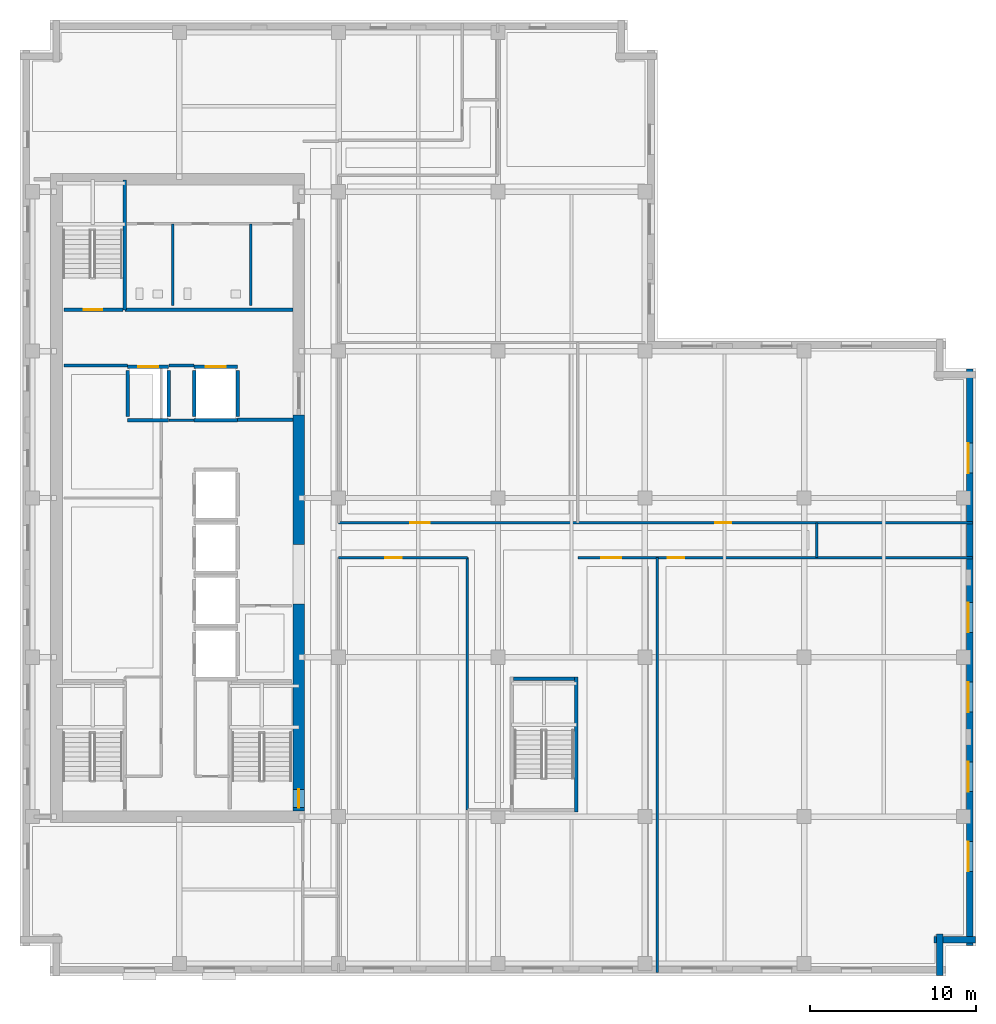
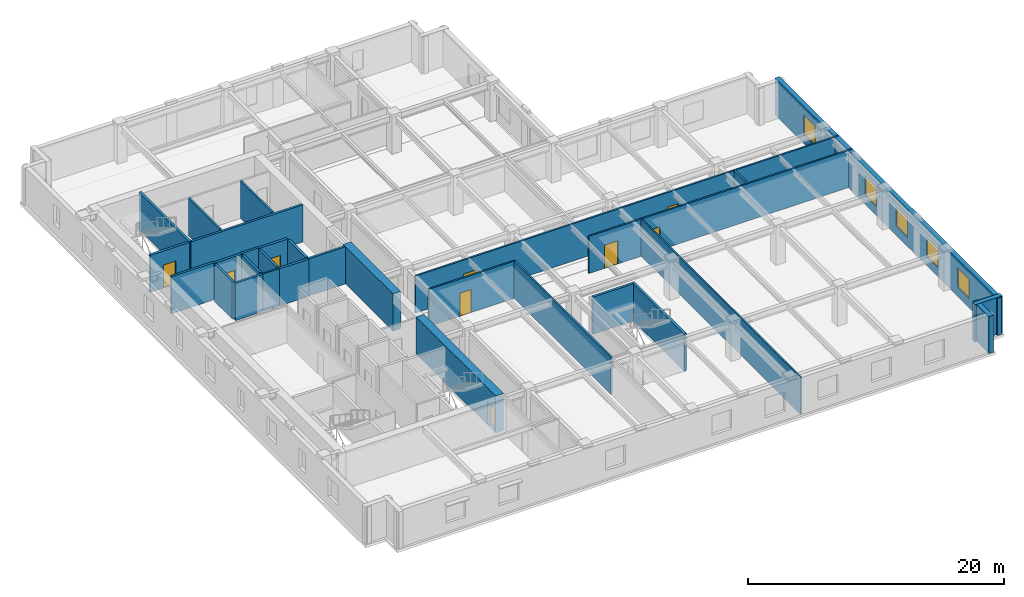
# One storey, part 5 of 14: 30 walls, 9 doors, 5 windows, 14 openings.
"""IFC4 building model written with IfcOpenShell, lengths in metres."""

from ifc_helpers import new_model, si_unit, direction, frame, frame_2d, origin, place, context, subcontext, project, spatial, rectangle, extrude, material, layer, layer_set, type_object, element, fill, save


model = new_model("IFC4")

# Units and contexts
model_context = context("Model", 3, precision=1e-05, world=origin(), true_north=direction((0.0, 1.0)))
body_context = subcontext(model_context, "Body", "Model", "MODEL_VIEW")
ifc_project = project(units=[si_unit("LENGTHUNIT", "METRE"), si_unit("AREAUNIT", "SQUARE_METRE"), si_unit("VOLUMEUNIT", "CUBIC_METRE"), si_unit("PLANEANGLEUNIT", "RADIAN"), si_unit("MASSUNIT", "GRAM", prefix="KILO")], contexts=[model_context])

# Site, building, storey
site_placement = place(None, origin())
site = spatial("IfcSite", under=ifc_project, at=site_placement, CompositionType="ELEMENT")
building_placement = place(site_placement, origin())
building = spatial("IfcBuilding", under=site, at=building_placement, Name="Norrvale University Quadrangle", CompositionType="ELEMENT")
storey_placement = place(building_placement, frame((0.0, 0.0, 214.199951171875)))
storey = spatial("IfcBuildingStorey", under=building, at=storey_placement, Name="L54", CompositionType="ELEMENT", Elevation=214.199951171875)

# Wall, opening, door
ifc_material_1 = material(Name="Concrete C60/75", Category="concrete")
ifc_layer_1 = layer(ifc_material_1, 0.699951171875, Name="Concrete C60/75")
ifc_layer_set_1 = layer_set([ifc_layer_1], Name="Concrete C60/75")
wall_type_1 = type_object("IfcWallType", Name="Wall Core 700", PredefinedType="SHEAR", material=ifc_layer_set_1)
wall_1_placement = place(storey_placement, frame((16.800048828125, 9.949951171875, 0.0), z_axis=(0.0, 0.0, 1.0), x_axis=(0.0, 1.0, 0.0)))
wall_1 = element("IfcWall", 1, at=wall_1_placement, inside=storey, type_object=wall_type_1, Name="Tower Core Shear Wall L54-E1", PredefinedType="SHEAR", context=body_context, shape_type="SweptSolid", body=[
    extrude(rectangle(XDim=12.449951171875, YDim=0.699951171875, at=frame_2d((6.22509765625, 0.0))), origin(), (0.0, 0.0, 1.0), 3.5400390625),
])
opening_1_placement = place(wall_1_placement, frame((0.18994140625, 0.0, 0.0)))
opening_1 = element("IfcOpeningElement", 2, at=opening_1_placement, cuts=wall_1, Name="Opening D02", PredefinedType="OPENING", context=body_context, shape_type="SweptSolid", body=[
    extrude(rectangle(XDim=1.10009765625, YDim=2.199951171875, at=frame_2d((0.550048828125, 1.10009765625))), frame((0.0, 0.362060546875, 0.0), z_axis=(0.0, -1.0, 0.0), x_axis=(1.0, 0.0, 0.0)), (0.0, 0.0, 1.0), 0.723876953125),
])
ifc_material_2 = material(Name="Hollow Steel 350W Fire Door", Category="steel")
door_type_1 = type_object("IfcDoorType", Name="Door Stair Exit 1100x2200", OperationType="NOTDEFINED", PredefinedType="DOOR", material=ifc_material_2)
door_1_placement = place(opening_1_placement, origin())
door_1 = element("IfcDoor", 3, at=door_1_placement, inside=storey, type_object=door_type_1, Name="Door Stair Exit 1100x2200 DR-L54-ST03", OperationType="SINGLE_SWING_LEFT", OverallHeight=2.199951171875, OverallWidth=1.10009765625, PredefinedType="DOOR", context=body_context, shape_type="SweptSolid", body=[
    extrude(rectangle(XDim=1.10009765625, YDim=2.199951171875, at=frame_2d((0.550048828125, 1.10009765625))), frame((0.0, 0.02490234375, 0.0), z_axis=(0.0, -1.0, 0.0), x_axis=(1.0, 0.0, 0.0)), (0.0, 0.0, 1.0), 0.050048828125),
])
fill(opening_1, door_1)

# Walls
wall_2_placement = place(storey_placement, frame((16.800048828125, 26.0, 0.0), z_axis=(0.0, 0.0, 1.0), x_axis=(0.0, 1.0, 0.0)))
element("IfcWall", 4, at=wall_2_placement, inside=storey, type_object=wall_type_1, Name="Tower Core Shear Wall L54-E2", PredefinedType="SHEAR", context=body_context, shape_type="SweptSolid", body=[
    extrude(rectangle(XDim=7.800048828125, YDim=0.699951171875, at=frame_2d((3.89990234375, 0.0))), origin(), (0.0, 0.0, 1.0), 3.5400390625),
])
ifc_material_3 = material(Name="Standard Academic Gypsum Partition")
ifc_layer_2 = layer(ifc_material_3, 0.125, Name="Standard Academic Gypsum Partition")
ifc_layer_set_2 = layer_set([ifc_layer_2], Name="Standard Academic Gypsum Partition")
wall_type_2 = type_object("IfcWallType", Name="Wall Gypsum Academic 125", PredefinedType="PARTITIONING", material=ifc_layer_set_2)
wall_3_placement = place(storey_placement, frame((38.39990234375, 0.219970703125, 0.0), z_axis=(0.0, 0.0, 1.0), x_axis=(0.0, 1.0, 0.0)))
element("IfcWall", 5, at=wall_3_placement, inside=storey, type_object=wall_type_2, Name="Interior Partition WL-L54-SEP2", PredefinedType="PARTITIONING", context=body_context, shape_type="SweptSolid", body=[
    extrude(rectangle(XDim=24.97998046875, YDim=0.125, at=frame_2d((12.489990234375, 0.0))), origin(), (0.0, 0.0, 1.0), 3.5400390625),
])
ifc_material_4 = material(Name="Fire-Rated Gypsum Stud Partition")
ifc_layer_3 = layer(ifc_material_4, 0.14990234375, Name="Fire-Rated Gypsum Stud Partition")
ifc_layer_set_3 = layer_set([ifc_layer_3], Name="Fire-Rated Gypsum Stud Partition")
wall_type_3 = type_object("IfcWallType", Name="Wall Gypsum Corridor 150", PredefinedType="PARTITIONING", material=ifc_layer_set_3)
wall_4_placement = place(storey_placement, frame((8.965087890625, 33.489990234375, 0.0), z_axis=(0.0, 0.0, 1.0), x_axis=(1.0, 0.0, 0.0)))
element("IfcWall", 6, at=wall_4_placement, inside=storey, type_object=wall_type_3, Name="Interior Partition WL-L54-LL3", PredefinedType="PARTITIONING", context=body_context, shape_type="SweptSolid", body=[
    extrude(rectangle(XDim=1.52001953125, YDim=0.14990234375, at=frame_2d((0.760009765625, 0.0))), origin(), (0.0, 0.0, 1.0), 3.5400390625),
])
wall_5_placement = place(storey_placement, frame((48.0, 25.199951171875, 0.0), z_axis=(0.0, 0.0, 1.0), x_axis=(0.0, 1.0, 0.0)))
element("IfcWall", 7, at=wall_5_placement, inside=storey, type_object=wall_type_3, Name="Interior Partition WL-L54-CESP-E", PredefinedType="PARTITIONING", context=body_context, shape_type="SweptSolid", body=[
    extrude(rectangle(XDim=2.10009765625, YDim=0.14990234375, at=frame_2d((1.050048828125, 0.0))), origin(), (0.0, 0.0, 1.0), 3.5400390625),
])

# Wall, opening, door
wall_6_placement = place(storey_placement, frame((19.199951171875, 25.199951171875, 0.0), z_axis=(0.0, 0.0, 1.0), x_axis=(1.0, 0.0, 0.0)))
wall_6 = element("IfcWall", 8, at=wall_6_placement, inside=storey, type_object=wall_type_3, Name="Interior Partition WL-L54-SEW1", PredefinedType="PARTITIONING", context=body_context, shape_type="SweptSolid", body=[
    extrude(rectangle(XDim=7.75, YDim=0.14990234375, at=frame_2d((3.875, 0.0))), origin(), (0.0, 0.0, 1.0), 3.5400390625),
])
opening_2_placement = place(wall_6_placement, frame((2.800048828125, 0.0, 0.0)))
opening_2 = element("IfcOpeningElement", 9, at=opening_2_placement, cuts=wall_6, Name="Opening D04", PredefinedType="OPENING", context=body_context, shape_type="SweptSolid", body=[
    extrude(rectangle(XDim=1.0, YDim=2.199951171875, at=frame_2d((0.5, 1.10009765625))), frame((0.0, 0.0869140625, 0.0), z_axis=(0.0, -1.0, 0.0), x_axis=(1.0, 0.0, 0.0)), (0.0, 0.0, 1.0), 0.173828125),
])
ifc_material_5 = material(Name="Solid-Core Oak Fire Door", Category="wood")
door_type_2 = type_object("IfcDoorType", Name="Door Corridor 1000x2200", OperationType="NOTDEFINED", PredefinedType="DOOR", material=ifc_material_5)
door_2_placement = place(opening_2_placement, origin())
door_2 = element("IfcDoor", 10, at=door_2_placement, inside=storey, type_object=door_type_2, Name="Door Corridor 1000x2200 DR-L54-SE1", OperationType="SINGLE_SWING_LEFT", OverallHeight=2.199951171875, OverallWidth=1.0, PredefinedType="DOOR", context=body_context, shape_type="SweptSolid", body=[
    extrude(rectangle(XDim=1.0, YDim=2.199951171875, at=frame_2d((0.5, 1.10009765625))), frame((0.0, 0.02490234375, 0.0), z_axis=(0.0, -1.0, 0.0), x_axis=(1.0, 0.0, 0.0)), (0.0, 0.0, 1.0), 0.050048828125),
])
fill(opening_2, door_2)

# Wall
wall_7_placement = place(storey_placement, frame((26.949951171875, 10.0, 0.0), z_axis=(0.0, 0.0, 1.0), x_axis=(0.0, 1.0, 0.0)))
element("IfcWall", 11, at=wall_7_placement, inside=storey, type_object=wall_type_3, Name="Interior Partition WL-L54-SEP1B", PredefinedType="PARTITIONING", context=body_context, shape_type="SweptSolid", body=[
    extrude(rectangle(XDim=15.199951171875, YDim=0.14990234375, at=frame_2d((7.60009765625, 0.0))), origin(), (0.0, 0.0, 1.0), 3.5400390625),
])

# Wall, openings, doors
wall_8_placement = place(storey_placement, frame((33.6201171875, 25.199951171875, 0.0), z_axis=(0.0, 0.0, 1.0), x_axis=(1.0, 0.0, 0.0)))
wall_8 = element("IfcWall", 12, at=wall_8_placement, inside=storey, type_object=wall_type_3, Name="Interior Partition WL-L54-SEW2", PredefinedType="PARTITIONING", context=body_context, shape_type="SweptSolid", body=[
    extrude(rectangle(XDim=23.759765625, YDim=0.14990234375, at=frame_2d((11.8798828125, 0.0))), origin(), (0.0, 0.0, 1.0), 3.5400390625),
])
opening_3_placement = place(wall_8_placement, frame((1.39990234375, 0.0, 0.0)))
opening_3 = element("IfcOpeningElement", 13, at=opening_3_placement, cuts=wall_8, Name="Opening D05", PredefinedType="OPENING", context=body_context, shape_type="SweptSolid", body=[
    extrude(rectangle(XDim=1.199951171875, YDim=2.199951171875, at=frame_2d((0.60009765625, 1.10009765625))), frame((0.0, 0.0869140625, 0.0), z_axis=(0.0, -1.0, 0.0), x_axis=(1.0, 0.0, 0.0)), (0.0, 0.0, 1.0), 0.173828125),
])
opening_4_placement = place(wall_8_placement, frame((5.39990234375, 0.0, 0.0)))
opening_4 = element("IfcOpeningElement", 14, at=opening_4_placement, cuts=wall_8, Name="Opening D04", PredefinedType="OPENING", context=body_context, shape_type="SweptSolid", body=[
    extrude(rectangle(XDim=1.0, YDim=2.199951171875, at=frame_2d((0.5, 1.10009765625))), frame((0.0, 0.0869140625, 0.0), z_axis=(0.0, -1.0, 0.0), x_axis=(1.0, 0.0, 0.0)), (0.0, 0.0, 1.0), 0.173828125),
])
ifc_material_6 = material(Name="Acoustic Oak Classroom Door", Category="wood")
door_type_3 = type_object("IfcDoorType", Name="Door Classroom 1200x2200", OperationType="NOTDEFINED", PredefinedType="DOOR", material=ifc_material_6)
door_3_placement = place(opening_3_placement, origin())
door_3 = element("IfcDoor", 15, at=door_3_placement, inside=storey, type_object=door_type_3, Name="Door Classroom 1200x2200 DR-L54-SE2", OperationType="SINGLE_SWING_RIGHT", OverallHeight=2.199951171875, OverallWidth=1.199951171875, PredefinedType="DOOR", context=body_context, shape_type="SweptSolid", body=[
    extrude(rectangle(XDim=1.199951171875, YDim=2.199951171875, at=frame_2d((0.60009765625, 1.10009765625))), frame((0.0, 0.02490234375, 0.0), z_axis=(0.0, -1.0, 0.0), x_axis=(1.0, 0.0, 0.0)), (0.0, 0.0, 1.0), 0.050048828125),
])
fill(opening_3, door_3)
door_4_placement = place(opening_4_placement, origin())
door_4 = element("IfcDoor", 16, at=door_4_placement, inside=storey, type_object=door_type_2, Name="Door Corridor 1000x2200 DR-L54-SE3", OperationType="SINGLE_SWING_LEFT", OverallHeight=2.199951171875, OverallWidth=1.0, PredefinedType="DOOR", context=body_context, shape_type="SweptSolid", body=[
    extrude(rectangle(XDim=1.0, YDim=2.199951171875, at=frame_2d((0.5, 1.10009765625))), frame((0.0, 0.02490234375, 0.0), z_axis=(0.0, -1.0, 0.0), x_axis=(1.0, 0.0, 0.0)), (0.0, 0.0, 1.0), 0.050048828125),
])
fill(opening_4, door_4)

wall_9_placement = place(storey_placement, frame((19.199951171875, 27.300048828125, 0.0), z_axis=(0.0, 0.0, 1.0), x_axis=(1.0, 0.0, 0.0)))
wall_9 = element("IfcWall", 17, at=wall_9_placement, inside=storey, type_object=wall_type_3, Name="Interior Partition WL-L54-MECW", PredefinedType="PARTITIONING", context=body_context, shape_type="SweptSolid", body=[
    extrude(rectangle(XDim=38.179931640625, YDim=0.14990234375, at=frame_2d((19.08984375, 0.0))), origin(), (0.0, 0.0, 1.0), 3.5400390625),
])
opening_5_placement = place(wall_9_placement, frame((4.300048828125, 0.0, 0.0)))
opening_5 = element("IfcOpeningElement", 18, at=opening_5_placement, cuts=wall_9, Name="Opening D05", PredefinedType="OPENING", context=body_context, shape_type="SweptSolid", body=[
    extrude(rectangle(XDim=1.199951171875, YDim=2.199951171875, at=frame_2d((0.60009765625, 1.10009765625))), frame((0.0, 0.0869140625, 0.0), z_axis=(0.0, -1.0, 0.0), x_axis=(1.0, 0.0, 0.0)), (0.0, 0.0, 1.0), 0.173828125),
])
opening_6_placement = place(wall_9_placement, frame((22.699951171875, 0.0, 0.0)))
opening_6 = element("IfcOpeningElement", 19, at=opening_6_placement, cuts=wall_9, Name="Opening D07", PredefinedType="OPENING", context=body_context, shape_type="SweptSolid", body=[
    extrude(rectangle(XDim=0.949951171875, YDim=2.14990234375, at=frame_2d((0.47509765625, 1.074951171875))), frame((0.0, 0.0869140625, 0.0), z_axis=(0.0, -1.0, 0.0), x_axis=(1.0, 0.0, 0.0)), (0.0, 0.0, 1.0), 0.173828125),
])
door_5_placement = place(opening_5_placement, origin())
door_5 = element("IfcDoor", 20, at=door_5_placement, inside=storey, type_object=door_type_3, Name="Door Classroom 1200x2200 DR-L54-ME01", OperationType="SINGLE_SWING_LEFT", OverallHeight=2.199951171875, OverallWidth=1.199951171875, PredefinedType="DOOR", context=body_context, shape_type="SweptSolid", body=[
    extrude(rectangle(XDim=1.199951171875, YDim=2.199951171875, at=frame_2d((0.60009765625, 1.10009765625))), frame((0.0, 0.02490234375, 0.0), z_axis=(0.0, -1.0, 0.0), x_axis=(1.0, 0.0, 0.0)), (0.0, 0.0, 1.0), 0.050048828125),
])
fill(opening_5, door_5)
ifc_material_7 = material(Name="Solid-Core Maple Door", Category="wood")
door_type_4 = type_object("IfcDoorType", Name="Door Office 950x2150", OperationType="NOTDEFINED", PredefinedType="DOOR", material=ifc_material_7)
door_6_placement = place(opening_6_placement, origin())
door_6 = element("IfcDoor", 21, at=door_6_placement, inside=storey, type_object=door_type_4, Name="Door Office 950x2150 DR-L54-ME02", OperationType="SINGLE_SWING_RIGHT", OverallHeight=2.14990234375, OverallWidth=0.949951171875, PredefinedType="DOOR", context=body_context, shape_type="SweptSolid", body=[
    extrude(rectangle(XDim=0.949951171875, YDim=2.14990234375, at=frame_2d((0.47509765625, 1.074951171875))), frame((0.0, 0.02490234375, 0.0), z_axis=(0.0, -1.0, 0.0), x_axis=(1.0, 0.0, 0.0)), (0.0, 0.0, 1.0), 0.050048828125),
])
fill(opening_6, door_6)

# Walls
ifc_material_8 = material(Name="Sanitary Chase Gypsum Partition")
ifc_layer_4 = layer(ifc_material_8, 0.1650390625, Name="Sanitary Chase Gypsum Partition")
ifc_layer_set_4 = layer_set([ifc_layer_4], Name="Sanitary Chase Gypsum Partition")
wall_type_4 = type_object("IfcWallType", Name="Wall Gypsum Sanitary 165", PredefinedType="PLUMBINGWALL", material=ifc_layer_set_4)
for number, where, z_axis, x_axis, name in (
    (22, (9.199951171875, 40.39990234375, 0.0), (0.0, 0.0, 1.0), (0.0, 1.0, 0.0), "Interior Partition WL-L54-WCM1"),
    (23, (13.89990234375, 40.39990234375, 0.0), (0.0, 0.0, 1.0), (0.0, 1.0, 0.0), "Interior Partition WL-L54-WCM2"),
):
    element("IfcWall", number, at=place(storey_placement, frame(where, z_axis=z_axis, x_axis=x_axis)), inside=storey, type_object=wall_type_4, Name=name, PredefinedType="PLUMBINGWALL", context=body_context, shape_type="SweptSolid", body=[
        extrude(rectangle(XDim=4.920166015625, YDim=0.1650390625, at=frame_2d((2.4599609375, 0.0))), origin(), (0.0, 0.0, 1.0), 3.5400390625),
    ])
ifc_material_9 = material(Name="Concrete Blockwork 20 MPa Rated Wall", Category="masonry")
ifc_layer_5 = layer(ifc_material_9, 0.199951171875, Name="Concrete Blockwork 20 MPa Rated Wall")
ifc_layer_set_5 = layer_set([ifc_layer_5], Name="Concrete Blockwork 20 MPa Rated Wall")
wall_type_5 = type_object("IfcWallType", Name="Wall Lobby 200", PredefinedType="SOLIDWALL", material=ifc_layer_set_5)
wall_10_placement = place(storey_placement, frame((2.64990234375, 36.780029296875, 0.0), z_axis=(0.0, 0.0, 1.0), x_axis=(1.0, 0.0, 0.0)))
element("IfcWall", 24, at=wall_10_placement, inside=storey, type_object=wall_type_5, Name="Interior Partition WL-L54-FF1", PredefinedType="SOLIDWALL", context=body_context, shape_type="SweptSolid", body=[
    extrude(rectangle(XDim=3.830078125, YDim=0.199951171875, at=frame_2d((1.9150390625, 0.0))), origin(), (0.0, 0.0, 1.0), 3.5400390625),
])
wall_11_placement = place(storey_placement, frame((8.969970703125, 36.780029296875, 0.0), z_axis=(0.0, 0.0, 1.0), x_axis=(1.0, 0.0, 0.0)))
element("IfcWall", 25, at=wall_11_placement, inside=storey, type_object=wall_type_5, Name="Interior Partition WL-L54-FF2", PredefinedType="SOLIDWALL", context=body_context, shape_type="SweptSolid", body=[
    extrude(rectangle(XDim=1.510009765625, YDim=0.199951171875, at=frame_2d((0.7548828125, 0.0))), origin(), (0.0, 0.0, 1.0), 3.5400390625),
])
wall_12_placement = place(storey_placement, frame((13.1201171875, 33.52001953125, 0.0), z_axis=(0.0, 0.0, 1.0), x_axis=(1.0, 0.0, 0.0)))
element("IfcWall", 26, at=wall_12_placement, inside=storey, type_object=wall_type_5, Name="Interior Partition WL-L54-FF3", PredefinedType="SOLIDWALL", context=body_context, shape_type="SweptSolid", body=[
    extrude(rectangle(XDim=3.329833984375, YDim=0.199951171875, at=frame_2d((1.6650390625, 0.0))), origin(), (0.0, 0.0, 1.0), 3.5400390625),
])
wall_13_placement = place(storey_placement, frame((6.320068359375, 40.139892578125, 0.0), z_axis=(0.0, 0.0, 1.0), x_axis=(1.0, 0.0, 0.0)))
element("IfcWall", 27, at=wall_13_placement, inside=storey, type_object=wall_type_5, Name="Interior Partition WL-L54-FF4", PredefinedType="SOLIDWALL", context=body_context, shape_type="SweptSolid", body=[
    extrude(rectangle(XDim=10.1298828125, YDim=0.199951171875, at=frame_2d((5.06494140625, 0.0))), origin(), (0.0, 0.0, 1.0), 3.5400390625),
])
ifc_material_10 = material(Name="Red Manganese Brick Masonry", Category="masonry")
ifc_layer_6 = layer(ifc_material_10, 0.39990234375, Name="Red Manganese Brick Masonry")
ifc_layer_set_6 = layer_set([ifc_layer_6], Name="Red Manganese Brick Masonry")
wall_type_6 = type_object("IfcWallType", Name="Wall Red Brick 400", PredefinedType="SOLIDWALL", material=ifc_layer_set_6)
for number, where, z_axis, x_axis, name in (
    (28, (55.419921875, 0.0400390625, 0.0), (0.0, 0.0, 1.0), (0.0, 1.0, 0.0), "Exterior Brick Facade Wall L54-02.1"),
    (29, (55.080078125, 2.179931640625, 0.0), (0.0, 0.0, 1.0), (1.0, 0.0, 0.0), "Exterior Brick Facade Wall L54-03.1"),
):
    element("IfcWall", number, at=place(storey_placement, frame(where, z_axis=z_axis, x_axis=x_axis)), inside=storey, type_object=wall_type_6, Name=name, PredefinedType="SOLIDWALL", context=body_context, shape_type="SweptSolid", body=[
        extrude(rectangle(XDim=2.47998046875, YDim=0.39990234375, at=frame_2d((1.239990234375, 0.0))), origin(), (0.0, 0.0, 1.0), 3.5400390625),
    ])

# Wall, openings, windows
wall_14_placement = place(storey_placement, frame((57.219970703125, 1.840087890625, 0.0), z_axis=(0.0, 0.0, 1.0), x_axis=(0.0, 1.0, 0.0)))
wall_14 = element("IfcWall", 30, at=wall_14_placement, inside=storey, type_object=wall_type_6, Name="Exterior Brick Facade Wall L54-04.1", PredefinedType="SOLIDWALL", context=body_context, shape_type="SweptSolid", body=[
    extrude(rectangle(XDim=34.719970703125, YDim=0.39990234375, at=frame_2d((17.35986328125, 0.0))), origin(), (0.0, 0.0, 1.0), 3.5400390625),
])
opening_7_placement = place(wall_14_placement, frame((4.4599609375, 0.0, 0.85009765625)))
opening_7 = element("IfcOpeningElement", 31, at=opening_7_placement, cuts=wall_14, Name="Opening W01", PredefinedType="OPENING", context=body_context, shape_type="SweptSolid", body=[
    extrude(rectangle(XDim=1.800048828125, YDim=1.85009765625, at=frame_2d((0.89990234375, 0.925048828125))), frame((0.0, 0.2119140625, 0.0), z_axis=(0.0, -1.0, 0.0), x_axis=(1.0, 0.0, 0.0)), (0.0, 0.0, 1.0), 0.423828125),
])
opening_8_placement = place(wall_14_placement, frame((9.260009765625, 0.0, 0.85009765625)))
opening_8 = element("IfcOpeningElement", 32, at=opening_8_placement, cuts=wall_14, Name="Opening W01", PredefinedType="OPENING", context=body_context, shape_type="SweptSolid", body=[
    extrude(rectangle(XDim=1.800048828125, YDim=1.85009765625, at=frame_2d((0.89990234375, 0.925048828125))), frame((0.0, 0.2119140625, 0.0), z_axis=(0.0, -1.0, 0.0), x_axis=(1.0, 0.0, 0.0)), (0.0, 0.0, 1.0), 0.423828125),
])
opening_9_placement = place(wall_14_placement, frame((14.06005859375, 0.0, 0.85009765625)))
opening_9 = element("IfcOpeningElement", 33, at=opening_9_placement, cuts=wall_14, Name="Opening W01", PredefinedType="OPENING", context=body_context, shape_type="SweptSolid", body=[
    extrude(rectangle(XDim=1.800048828125, YDim=1.85009765625, at=frame_2d((0.89990234375, 0.925048828125))), frame((0.0, 0.2119140625, 0.0), z_axis=(0.0, -1.0, 0.0), x_axis=(1.0, 0.0, 0.0)), (0.0, 0.0, 1.0), 0.423828125),
])
opening_10_placement = place(wall_14_placement, frame((18.860107421875, 0.0, 0.85009765625)))
opening_10 = element("IfcOpeningElement", 34, at=opening_10_placement, cuts=wall_14, Name="Opening W01", PredefinedType="OPENING", context=body_context, shape_type="SweptSolid", body=[
    extrude(rectangle(XDim=1.800048828125, YDim=1.85009765625, at=frame_2d((0.89990234375, 0.925048828125))), frame((0.0, 0.2119140625, 0.0), z_axis=(0.0, -1.0, 0.0), x_axis=(1.0, 0.0, 0.0)), (0.0, 0.0, 1.0), 0.423828125),
])
opening_11_placement = place(wall_14_placement, frame((28.4599609375, 0.0, 0.85009765625)))
opening_11 = element("IfcOpeningElement", 35, at=opening_11_placement, cuts=wall_14, Name="Opening W01", PredefinedType="OPENING", context=body_context, shape_type="SweptSolid", body=[
    extrude(rectangle(XDim=1.800048828125, YDim=1.85009765625, at=frame_2d((0.89990234375, 0.925048828125))), frame((0.0, 0.2119140625, 0.0), z_axis=(0.0, -1.0, 0.0), x_axis=(1.0, 0.0, 0.0)), (0.0, 0.0, 1.0), 0.423828125),
])
ifc_material_11 = material(Name="Triple Low-E Argon Glazing", Category="glass")
window_type = type_object("IfcWindowType", Name="Window Academic 1800x2300", PartitioningType="DOUBLE_PANEL_VERTICAL", PredefinedType="WINDOW", material=ifc_material_11)
window_1_placement = place(opening_7_placement, origin())
window_1 = element("IfcWindow", 36, at=window_1_placement, inside=storey, type_object=window_type, Name="Window Academic 1800x2300 WIN-L54-E04-1-01", OverallHeight=1.85009765625, OverallWidth=1.800048828125, PartitioningType="DOUBLE_PANEL_VERTICAL", PredefinedType="WINDOW", context=body_context, shape_type="SweptSolid", body=[
    extrude(rectangle(XDim=1.800048828125, YDim=1.85009765625, at=frame_2d((0.89990234375, 0.925048828125))), frame((0.0, 0.110107421875, 0.0), z_axis=(0.0, -1.0, 0.0), x_axis=(1.0, 0.0, 0.0)), (0.0, 0.0, 1.0), 0.06005859375),
])
fill(opening_7, window_1)
window_2_placement = place(opening_8_placement, origin())
window_2 = element("IfcWindow", 37, at=window_2_placement, inside=storey, type_object=window_type, Name="Window Academic 1800x2300 WIN-L54-E04-1-02", OverallHeight=1.85009765625, OverallWidth=1.800048828125, PartitioningType="DOUBLE_PANEL_VERTICAL", PredefinedType="WINDOW", context=body_context, shape_type="SweptSolid", body=[
    extrude(rectangle(XDim=1.800048828125, YDim=1.85009765625, at=frame_2d((0.89990234375, 0.925048828125))), frame((0.0, 0.110107421875, 0.0), z_axis=(0.0, -1.0, 0.0), x_axis=(1.0, 0.0, 0.0)), (0.0, 0.0, 1.0), 0.06005859375),
])
fill(opening_8, window_2)
window_3_placement = place(opening_9_placement, origin())
window_3 = element("IfcWindow", 38, at=window_3_placement, inside=storey, type_object=window_type, Name="Window Academic 1800x2300 WIN-L54-E04-1-03", OverallHeight=1.85009765625, OverallWidth=1.800048828125, PartitioningType="DOUBLE_PANEL_VERTICAL", PredefinedType="WINDOW", context=body_context, shape_type="SweptSolid", body=[
    extrude(rectangle(XDim=1.800048828125, YDim=1.85009765625, at=frame_2d((0.89990234375, 0.925048828125))), frame((0.0, 0.110107421875, 0.0), z_axis=(0.0, -1.0, 0.0), x_axis=(1.0, 0.0, 0.0)), (0.0, 0.0, 1.0), 0.06005859375),
])
fill(opening_9, window_3)
window_4_placement = place(opening_10_placement, origin())
window_4 = element("IfcWindow", 39, at=window_4_placement, inside=storey, type_object=window_type, Name="Window Academic 1800x2300 WIN-L54-E04-1-04", OverallHeight=1.85009765625, OverallWidth=1.800048828125, PartitioningType="DOUBLE_PANEL_VERTICAL", PredefinedType="WINDOW", context=body_context, shape_type="SweptSolid", body=[
    extrude(rectangle(XDim=1.800048828125, YDim=1.85009765625, at=frame_2d((0.89990234375, 0.925048828125))), frame((0.0, 0.110107421875, 0.0), z_axis=(0.0, -1.0, 0.0), x_axis=(1.0, 0.0, 0.0)), (0.0, 0.0, 1.0), 0.06005859375),
])
fill(opening_10, window_4)
window_5_placement = place(opening_11_placement, origin())
window_5 = element("IfcWindow", 40, at=window_5_placement, inside=storey, type_object=window_type, Name="Window Academic 1800x2300 WIN-L54-E04-1-05", OverallHeight=1.85009765625, OverallWidth=1.800048828125, PartitioningType="DOUBLE_PANEL_VERTICAL", PredefinedType="WINDOW", context=body_context, shape_type="SweptSolid", body=[
    extrude(rectangle(XDim=1.800048828125, YDim=1.85009765625, at=frame_2d((0.89990234375, 0.925048828125))), frame((0.0, 0.110107421875, 0.0), z_axis=(0.0, -1.0, 0.0), x_axis=(1.0, 0.0, 0.0)), (0.0, 0.0, 1.0), 0.06005859375),
])
fill(opening_11, window_5)

# Wall, opening, door
ifc_material_12 = material(Name="Concrete Blockwork 20 MPa Fire Shaft", Category="masonry")
ifc_layer_7 = layer(ifc_material_12, 0.219970703125, Name="Concrete Blockwork 20 MPa Fire Shaft")
ifc_layer_set_7 = layer_set([ifc_layer_7], Name="Concrete Blockwork 20 MPa Fire Shaft")
wall_type_7 = type_object("IfcWallType", Name="Wall Shaft 220", PredefinedType="SOLIDWALL", material=ifc_layer_set_7)
wall_15_placement = place(storey_placement, frame((2.64990234375, 40.139892578125, 0.0), z_axis=(0.0, 0.0, 1.0), x_axis=(1.0, 0.0, 0.0)))
wall_15 = element("IfcWall", 41, at=wall_15_placement, inside=storey, type_object=wall_type_7, Name="Stair ST-02 South Shaft Wall L54", PredefinedType="SOLIDWALL", context=body_context, shape_type="SweptSolid", body=[
    extrude(rectangle(XDim=3.550048828125, YDim=0.219970703125, at=frame_2d((1.77490234375, 0.0))), origin(), (0.0, 0.0, 1.0), 3.5400390625),
])
opening_12_placement = place(wall_15_placement, frame((1.199951171875, 0.0, 0.0)))
opening_12 = element("IfcOpeningElement", 42, at=opening_12_placement, cuts=wall_15, Name="Opening D02", PredefinedType="OPENING", context=body_context, shape_type="SweptSolid", body=[
    extrude(rectangle(XDim=1.10009765625, YDim=2.199951171875, at=frame_2d((0.550048828125, 1.10009765625))), frame((0.0, 0.1220703125, 0.0), z_axis=(0.0, -1.0, 0.0), x_axis=(1.0, 0.0, 0.0)), (0.0, 0.0, 1.0), 0.243896484375),
])
door_7_placement = place(opening_12_placement, origin())
door_7 = element("IfcDoor", 43, at=door_7_placement, inside=storey, type_object=door_type_1, Name="Door Stair Exit 1100x2200 DR-L54-ST02", OperationType="SINGLE_SWING_LEFT", OverallHeight=2.199951171875, OverallWidth=1.10009765625, PredefinedType="DOOR", context=body_context, shape_type="SweptSolid", body=[
    extrude(rectangle(XDim=1.10009765625, YDim=2.199951171875, at=frame_2d((0.550048828125, 1.10009765625))), frame((0.0, 0.02490234375, 0.0), z_axis=(0.0, -1.0, 0.0), x_axis=(1.0, 0.0, 0.0)), (0.0, 0.0, 1.0), 0.050048828125),
])
fill(opening_12, door_7)

# Walls
wall_16_placement = place(storey_placement, frame((6.31005859375, 40.139892578125, 0.0), z_axis=(0.0, 0.0, 1.0), x_axis=(0.0, 1.0, 0.0)))
element("IfcWall", 44, at=wall_16_placement, inside=storey, type_object=wall_type_7, Name="Stair ST-02 East Shaft Wall L54", PredefinedType="SOLIDWALL", context=body_context, shape_type="SweptSolid", body=[
    extrude(rectangle(XDim=7.81005859375, YDim=0.219970703125, at=frame_2d((3.905029296875, 0.0))), origin(), (0.0, 0.0, 1.0), 3.5400390625),
])
wall_17_placement = place(storey_placement, frame((33.510009765625, 9.8798828125, 0.0), z_axis=(0.0, 0.0, 1.0), x_axis=(0.0, 1.0, 0.0)))
element("IfcWall", 45, at=wall_17_placement, inside=storey, type_object=wall_type_7, Name="Stair ST-04 East Shaft Wall L54", PredefinedType="SOLIDWALL", context=body_context, shape_type="SweptSolid", body=[
    extrude(rectangle(XDim=8.14013671875, YDim=0.219970703125, at=frame_2d((4.070068359375, 0.0))), origin(), (0.0, 0.0, 1.0), 3.5400390625),
])
wall_18_placement = place(storey_placement, frame((29.75, 17.909912109375, 0.0), z_axis=(0.0, 0.0, 1.0), x_axis=(1.0, 0.0, 0.0)))
element("IfcWall", 46, at=wall_18_placement, inside=storey, type_object=wall_type_7, Name="Stair ST-04 North Shaft Wall L54", PredefinedType="SOLIDWALL", context=body_context, shape_type="SweptSolid", body=[
    extrude(rectangle(XDim=3.64990234375, YDim=0.219970703125, at=frame_2d((1.824951171875, 0.0))), origin(), (0.0, 0.0, 1.0), 3.5400390625),
])
for number, where, z_axis, x_axis, name in (
    (47, (6.489990234375, 33.7099609375, 0.0), (0.0, 0.0, 1.0), (0.0, 1.0, 0.0), "Hoistway FFL-01 West Wall L54"),
    (48, (8.9599609375, 33.7099609375, 0.0), (0.0, 0.0, 1.0), (0.0, 1.0, 0.0), "Hoistway FFL-01 East Wall L54"),
):
    element("IfcWall", number, at=place(storey_placement, frame(where, z_axis=z_axis, x_axis=x_axis)), inside=storey, type_object=wall_type_7, Name=name, PredefinedType="SOLIDWALL", context=body_context, shape_type="SweptSolid", body=[
        extrude(rectangle(XDim=2.780029296875, YDim=0.219970703125, at=frame_2d((1.39013671875, 0.0))), origin(), (0.0, 0.0, 1.0), 3.5400390625),
    ])
wall_19_placement = place(storey_placement, frame((6.489990234375, 33.489990234375, 0.0), z_axis=(0.0, 0.0, 1.0), x_axis=(1.0, 0.0, 0.0)))
element("IfcWall", 49, at=wall_19_placement, inside=storey, type_object=wall_type_7, Name="Hoistway FFL-01 South Wall L54", PredefinedType="SOLIDWALL", context=body_context, shape_type="SweptSolid", body=[
    extrude(rectangle(XDim=2.469970703125, YDim=0.219970703125, at=frame_2d((1.23486328125, 0.0))), origin(), (0.0, 0.0, 1.0), 3.5400390625),
])

# Wall, opening, door
wall_20_placement = place(storey_placement, frame((6.489990234375, 36.7099609375, 0.0), z_axis=(0.0, 0.0, 1.0), x_axis=(1.0, 0.0, 0.0)))
wall_20 = element("IfcWall", 50, at=wall_20_placement, inside=storey, type_object=wall_type_7, Name="Hoistway FFL-01 North Wall L54", PredefinedType="SOLIDWALL", context=body_context, shape_type="SweptSolid", body=[
    extrude(rectangle(XDim=2.469970703125, YDim=0.219970703125, at=frame_2d((1.23486328125, 0.0))), origin(), (0.0, 0.0, 1.0), 3.5400390625),
])
opening_13_placement = place(wall_20_placement, frame((0.635009765625, 0.0, 0.0)))
opening_13 = element("IfcOpeningElement", 51, at=opening_13_placement, cuts=wall_20, Name="Opening LD2", PredefinedType="OPENING", context=body_context, shape_type="SweptSolid", body=[
    extrude(rectangle(XDim=1.199951171875, YDim=2.199951171875, at=frame_2d((0.60009765625, 1.10009765625))), frame((0.0, 0.1220703125, 0.0), z_axis=(0.0, -1.0, 0.0), x_axis=(1.0, 0.0, 0.0)), (0.0, 0.0, 1.0), 0.243896484375),
])
ifc_material_13 = material(Name="Stainless Steel 316L Firefighter Lift Door", Category="steel")
door_type_5 = type_object("IfcDoorType", Name="Door Fire Lift 1200x2200", OperationType="DOUBLE_DOOR_SLIDING", PredefinedType="DOOR", material=ifc_material_13)
door_8_placement = place(opening_13_placement, origin())
door_8 = element("IfcDoor", 52, at=door_8_placement, inside=storey, type_object=door_type_5, Name="Elevator Landing Door DR-L54-FFL-01", OperationType="DOUBLE_DOOR_SLIDING", OverallHeight=2.199951171875, OverallWidth=1.199951171875, PredefinedType="DOOR", context=body_context, shape_type="SweptSolid", body=[
    extrude(rectangle(XDim=1.199951171875, YDim=2.199951171875, at=frame_2d((0.60009765625, 1.10009765625))), frame((0.0, 0.02490234375, 0.0), z_axis=(0.0, -1.0, 0.0), x_axis=(1.0, 0.0, 0.0)), (0.0, 0.0, 1.0), 0.050048828125),
])
fill(opening_13, door_8)

# Walls
for number, where, z_axis, x_axis, name in (
    (53, (10.489990234375, 33.7099609375, 0.0), (0.0, 0.0, 1.0), (0.0, 1.0, 0.0), "Hoistway FFL-02 West Wall L54"),
    (54, (13.110107421875, 33.7099609375, 0.0), (0.0, 0.0, 1.0), (0.0, 1.0, 0.0), "Hoistway FFL-02 East Wall L54"),
):
    element("IfcWall", number, at=place(storey_placement, frame(where, z_axis=z_axis, x_axis=x_axis)), inside=storey, type_object=wall_type_7, Name=name, PredefinedType="SOLIDWALL", context=body_context, shape_type="SweptSolid", body=[
        extrude(rectangle(XDim=2.780029296875, YDim=0.219970703125, at=frame_2d((1.39013671875, 0.0))), origin(), (0.0, 0.0, 1.0), 3.5400390625),
    ])
wall_21_placement = place(storey_placement, frame((10.489990234375, 33.489990234375, 0.0), z_axis=(0.0, 0.0, 1.0), x_axis=(1.0, 0.0, 0.0)))
element("IfcWall", 55, at=wall_21_placement, inside=storey, type_object=wall_type_7, Name="Hoistway FFL-02 South Wall L54", PredefinedType="SOLIDWALL", context=body_context, shape_type="SweptSolid", body=[
    extrude(rectangle(XDim=2.6201171875, YDim=0.219970703125, at=frame_2d((1.31005859375, 0.0))), origin(), (0.0, 0.0, 1.0), 3.5400390625),
])

# Wall, opening, door
wall_22_placement = place(storey_placement, frame((10.489990234375, 36.7099609375, 0.0), z_axis=(0.0, 0.0, 1.0), x_axis=(1.0, 0.0, 0.0)))
wall_22 = element("IfcWall", 56, at=wall_22_placement, inside=storey, type_object=wall_type_7, Name="Hoistway FFL-02 North Wall L54", PredefinedType="SOLIDWALL", context=body_context, shape_type="SweptSolid", body=[
    extrude(rectangle(XDim=2.6201171875, YDim=0.219970703125, at=frame_2d((1.31005859375, 0.0))), origin(), (0.0, 0.0, 1.0), 3.5400390625),
])
opening_14_placement = place(wall_22_placement, frame((0.7099609375, 0.0, 0.0)))
opening_14 = element("IfcOpeningElement", 57, at=opening_14_placement, cuts=wall_22, Name="Opening LD2", PredefinedType="OPENING", context=body_context, shape_type="SweptSolid", body=[
    extrude(rectangle(XDim=1.199951171875, YDim=2.199951171875, at=frame_2d((0.60009765625, 1.10009765625))), frame((0.0, 0.1220703125, 0.0), z_axis=(0.0, -1.0, 0.0), x_axis=(1.0, 0.0, 0.0)), (0.0, 0.0, 1.0), 0.243896484375),
])
door_9_placement = place(opening_14_placement, origin())
door_9 = element("IfcDoor", 58, at=door_9_placement, inside=storey, type_object=door_type_5, Name="Elevator Landing Door DR-L54-FFL-02", OperationType="DOUBLE_DOOR_SLIDING", OverallHeight=2.199951171875, OverallWidth=1.199951171875, PredefinedType="DOOR", context=body_context, shape_type="SweptSolid", body=[
    extrude(rectangle(XDim=1.199951171875, YDim=2.199951171875, at=frame_2d((0.60009765625, 1.10009765625))), frame((0.0, 0.02490234375, 0.0), z_axis=(0.0, -1.0, 0.0), x_axis=(1.0, 0.0, 0.0)), (0.0, 0.0, 1.0), 0.050048828125),
])
fill(opening_14, door_9)

save(model, "model.ifc")
